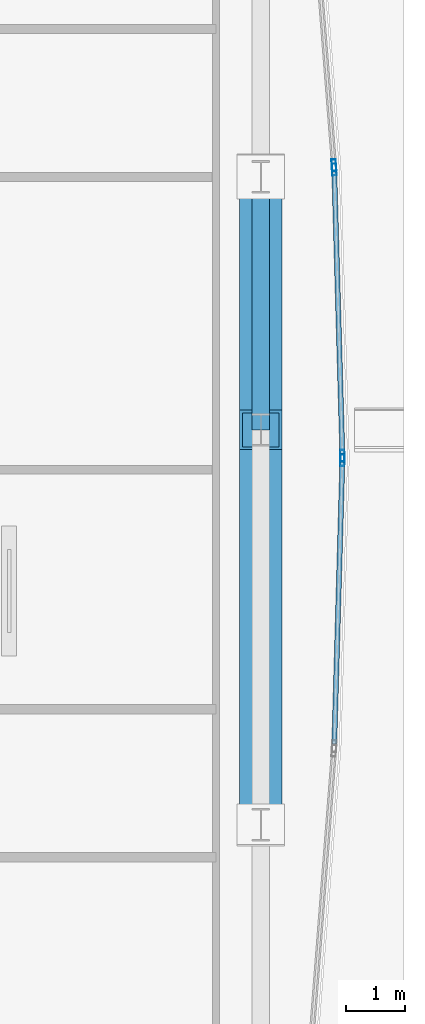
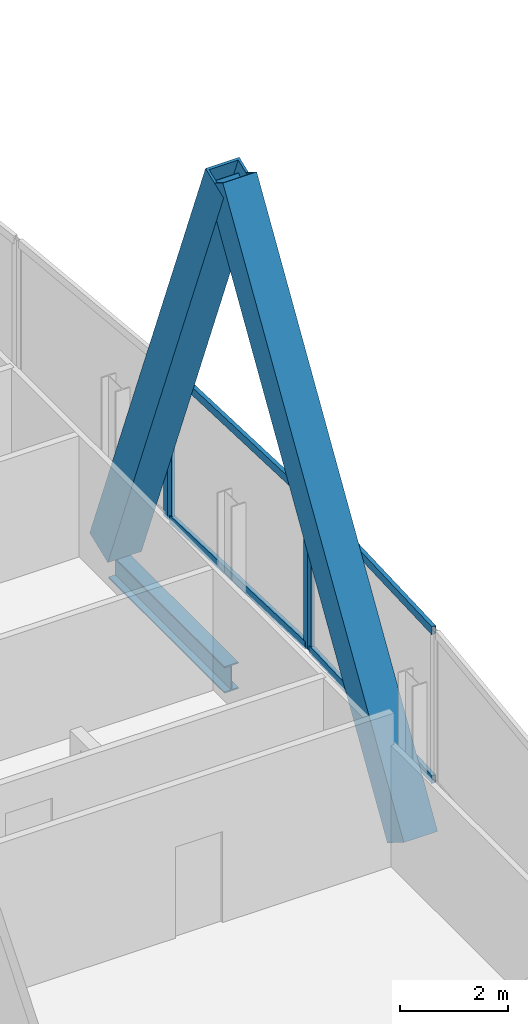
# One storey, part 21 of 30: 10 members, 1 beam, 3 elements without a shape of their own.
"""IFC4 building model written with IfcOpenShell, lengths in metres."""

from ifc_helpers import new_model, si_unit, direction, frame, origin, origin_2d, place, context, subcontext, project, spatial, hollow_rectangle, i_section, extrude, material, material_profile, profile_set, type_object, element, aggregate, save


model = new_model("IFC4")

# Units and contexts
model_context = context("Model", 3, precision=1e-05, world=origin(), true_north=direction((0.0, 1.0)))
body_context = subcontext(model_context, "Body", "Model", "MODEL_VIEW")
ifc_project = project(units=[si_unit("LENGTHUNIT", "METRE"), si_unit("AREAUNIT", "SQUARE_METRE"), si_unit("VOLUMEUNIT", "CUBIC_METRE"), si_unit("PLANEANGLEUNIT", "RADIAN"), si_unit("MASSUNIT", "GRAM", prefix="KILO")], contexts=[model_context])

# Site, building, storey
site_placement = place(None, origin())
site = spatial("IfcSite", under=ifc_project, at=site_placement, CompositionType="ELEMENT")
building_placement = place(site_placement, origin())
building = spatial("IfcBuilding", under=site, at=building_placement, Name="Khoronbel Lancet Exchange", CompositionType="ELEMENT")
storey_placement = place(building_placement, frame((0.0, 0.0, 136.199951171875)))
storey = spatial("IfcBuildingStorey", under=building, at=storey_placement, Name="L33", CompositionType="ELEMENT", Elevation=136.199951171875)

# Beam
ifc_material_1 = material(Name="Steel S355", Category="steel")
ifc_material_profile_1 = material_profile(ifc_material_1, i_section(OverallWidth=0.300048828125, OverallDepth=0.60009765625, WebThickness=0.015380859375, FlangeThickness=0.030029296875, at=origin_2d()), Name="HEB 600")
ifc_profile_set_1 = profile_set([ifc_material_profile_1], Name="Steel S355")
beam_type = type_object("IfcBeamType", Name="BM-BSP2", PredefinedType="SPANDREL", material=ifc_profile_set_1)
beam_placement = place(storey_placement, frame((67.6298828125, 31.425048828125, -0.4599609375), z_axis=(0.0, 1.0, 0.0), x_axis=(-1.0, 0.0, 0.0)))
element("IfcBeam", 1, at=beam_placement, inside=storey, type_object=beam_type, Name="Level L33 perimeter spandrel beam SP11", PredefinedType="SPANDREL", context=body_context, shape_type="SweptSolid", body=[
    extrude(i_section(OverallWidth=0.300048828125, OverallDepth=0.60009765625, WebThickness=0.015380859375, FlangeThickness=0.030029296875, at=origin_2d()), origin(), (0.0, 0.0, 1.0), 4.27490234375),
])

# Curtain wall, member
ifc_material_2 = material(Name="Low-E Solar Control Insulating Glass", Category="glass")
curtain_wall_type = type_object("IfcCurtainWallType", Name="CW-4", PredefinedType="NOTDEFINED", material=ifc_material_2)
curtain_wall_1_placement = place(storey_placement, origin())
curtain_wall_1 = element("IfcCurtainWall", 2, at=curtain_wall_1_placement, inside=storey, type_object=curtain_wall_type, Name="Unitised curtain wall CW-L33-E18", PredefinedType="NOTDEFINED")
ifc_material_3 = material(Name="Bronze-Anodised Aluminium 6063-T6", Category="aluminium")
ifc_material_profile_2 = material_profile(ifc_material_3, hollow_rectangle(XDim=0.074951171875, YDim=0.199951171875, WallThickness=0.0048828125, at=origin_2d()), Name="ALU MULLION 75x200")
ifc_profile_set_2 = profile_set([ifc_material_profile_2], Name="Bronze-Anodised Aluminium 6063-T6")
member_type_1 = type_object("IfcMemberType", Name="MEM-CWM2", PredefinedType="MULLION", material=ifc_profile_set_2)
member_1_placement = place(storey_placement, frame((68.866455078125, 35.899169921875, 0.0), z_axis=(0.0, 0.0, 1.0), x_axis=(0.996959555693, 0.077920756627, 0.0)))
member_1 = element("IfcMember", 3, at=member_1_placement, type_object=member_type_1, Name="CW4 mullion 2", PredefinedType="MULLION", context=body_context, shape_type="SweptSolid", body=[
    extrude(hollow_rectangle(XDim=0.074951171875, YDim=0.199951171875, WallThickness=0.0048828125, at=origin_2d()), origin(), (0.0, 0.0, 1.0), 3.43994140625),
])
aggregate(curtain_wall_1, [member_1])

# Curtain wall, members
curtain_wall_2_placement = place(storey_placement, origin())
curtain_wall_2 = element("IfcCurtainWall", 4, at=curtain_wall_2_placement, inside=storey, type_object=curtain_wall_type, Name="Unitised curtain wall CW-L33-E19", PredefinedType="NOTDEFINED")
member_2_placement = place(storey_placement, frame((68.870361328125, 35.824462890625, 0.0), z_axis=(0.0, 0.0, 1.0), x_axis=(0.999590574553, 0.028612641702, 0.0)))
member_2 = element("IfcMember", 5, at=member_2_placement, type_object=member_type_1, Name="CW4 mullion 1", PredefinedType="MULLION", context=body_context, shape_type="SweptSolid", body=[
    extrude(hollow_rectangle(XDim=0.074951171875, YDim=0.199951171875, WallThickness=0.0048828125, at=origin_2d()), origin(), (0.0, 0.0, 1.0), 3.43994140625),
])
member_3_placement = place(storey_placement, frame((69.009033203125, 30.987548828125, 0.0), z_axis=(0.0, 0.0, 1.0), x_axis=(0.999590574553, 0.028612641702, 0.0)))
member_3 = element("IfcMember", 6, at=member_3_placement, type_object=member_type_1, Name="CW4 mullion 2", PredefinedType="MULLION", context=body_context, shape_type="SweptSolid", body=[
    extrude(hollow_rectangle(XDim=0.074951171875, YDim=0.199951171875, WallThickness=0.0048828125, at=origin_2d()), origin(), (0.0, 0.0, 1.0), 3.43994140625),
])

# Curtain wall, member
curtain_wall_3_placement = place(storey_placement, origin())
curtain_wall_3 = element("IfcCurtainWall", 7, at=curtain_wall_3_placement, inside=storey, type_object=curtain_wall_type, Name="Unitised curtain wall CW-L33-E20", PredefinedType="NOTDEFINED")
member_4_placement = place(storey_placement, frame((69.009033203125, 30.91259765625, 0.0), z_axis=(0.0, 0.0, 1.0), x_axis=(0.999590574553, -0.028612641702, 0.0)))
member_4 = element("IfcMember", 8, at=member_4_placement, type_object=member_type_1, Name="CW4 mullion 1", PredefinedType="MULLION", context=body_context, shape_type="SweptSolid", body=[
    extrude(hollow_rectangle(XDim=0.074951171875, YDim=0.199951171875, WallThickness=0.0048828125, at=origin_2d()), origin(), (0.0, 0.0, 1.0), 3.43994140625),
])

# Member
ifc_material_profile_3 = material_profile(ifc_material_3, hollow_rectangle(XDim=0.0849609375, YDim=0.179931640625, WallThickness=0.0048828125, at=origin_2d()), Name="ALU TRANSOM 85x180")
ifc_profile_set_3 = profile_set([ifc_material_profile_3], Name="Bronze-Anodised Aluminium 6063-T6")
member_type_2 = type_object("IfcMemberType", Name="MEM-CWT1", PredefinedType="USERDEFINED", material=ifc_profile_set_3)
member_5_placement = place(storey_placement, frame((68.87158203125, 35.786865234375, 0.04248046875), z_axis=(0.028596349692, -0.999591040768, 0.0), x_axis=(0.999591040768, 0.028596349692, 0.0)))
member_5 = element("IfcMember", 9, at=member_5_placement, type_object=member_type_2, Name="CW4 transom 1.1", ObjectType="TRANSOM", PredefinedType="USERDEFINED", context=body_context, shape_type="SweptSolid", body=[
    extrude(hollow_rectangle(XDim=0.0849609375, YDim=0.179931640625, WallThickness=0.0048828125, at=origin_2d()), origin(), (0.0, 0.0, 1.0), 4.763916015625),
])

member_6_placement = place(storey_placement, frame((68.87158203125, 35.786865234375, 3.3974609375), z_axis=(0.028596349692, -0.999591040768, 0.0), x_axis=(0.999591040768, 0.028596349692, 0.0)))
member_6 = element("IfcMember", 10, at=member_6_placement, type_object=member_type_2, Name="CW4 transom 1.2", ObjectType="TRANSOM", PredefinedType="USERDEFINED", context=body_context, shape_type="SweptSolid", body=[
    extrude(hollow_rectangle(XDim=0.0849609375, YDim=0.179931640625, WallThickness=0.0048828125, at=origin_2d()), origin(), (0.0, 0.0, 1.0), 4.763916015625),
])

aggregate(curtain_wall_2, [member_2, member_3, member_5, member_6])

member_7_placement = place(storey_placement, frame((69.0078125, 30.875, 0.04248046875), z_axis=(-0.028596349692, -0.999591040768, 0.0), x_axis=(0.999591040768, -0.028596349692, 0.0)))
member_7 = element("IfcMember", 11, at=member_7_placement, type_object=member_type_2, Name="CW4 transom 1.1", ObjectType="TRANSOM", PredefinedType="USERDEFINED", context=body_context, shape_type="SweptSolid", body=[
    extrude(hollow_rectangle(XDim=0.0849609375, YDim=0.179931640625, WallThickness=0.0048828125, at=origin_2d()), origin(), (0.0, 0.0, 1.0), 4.763916015625),
])

member_8_placement = place(storey_placement, frame((69.0078125, 30.875, 3.3974609375), z_axis=(-0.028596349692, -0.999591040768, 0.0), x_axis=(0.999591040768, -0.028596349692, 0.0)))
member_8 = element("IfcMember", 12, at=member_8_placement, type_object=member_type_2, Name="CW4 transom 1.2", ObjectType="TRANSOM", PredefinedType="USERDEFINED", context=body_context, shape_type="SweptSolid", body=[
    extrude(hollow_rectangle(XDim=0.0849609375, YDim=0.179931640625, WallThickness=0.0048828125, at=origin_2d()), origin(), (0.0, 0.0, 1.0), 4.763916015625),
])

aggregate(curtain_wall_3, [member_4, member_7, member_8])

# Members
ifc_material_4 = material(Name="Steel S460", Category="steel")
ifc_material_profile_4 = material_profile(ifc_material_4, hollow_rectangle(XDim=0.719970703125, YDim=0.719970703125, WallThickness=0.050048828125, at=origin_2d()), Name="BOX 720x720x50")
ifc_profile_set_4 = profile_set([ifc_material_profile_4], Name="Steel S460")
member_type_3 = type_object("IfcMemberType", Name="MEM-MB2", PredefinedType="BRACE", material=ifc_profile_set_4)
member_9_placement = place(storey_placement, frame((67.6298828125, 24.75, 0.0), z_axis=(0.0, 0.525745449971, 0.850641946906), x_axis=(-1.0, 0.0, 0.0)))
element("IfcMember", 13, at=member_9_placement, inside=storey, type_object=member_type_3, Name="Perimeter lancet brace tier 11 E-P-L", PredefinedType="BRACE", context=body_context, shape_type="SweptSolid", body=[
    extrude(hollow_rectangle(XDim=0.719970703125, YDim=0.719970703125, WallThickness=0.050048828125, at=origin_2d()), origin(), (0.0, 0.0, 1.0), 12.6962890625),
])
member_10_placement = place(storey_placement, frame((67.6298828125, 35.699951171875, 0.0), z_axis=(0.0, -0.368039743753, 0.929810059646), x_axis=(1.0, 0.0, 0.0)))
element("IfcMember", 14, at=member_10_placement, inside=storey, type_object=member_type_3, Name="Perimeter lancet brace tier 11 E-P-R", PredefinedType="BRACE", context=body_context, shape_type="SweptSolid", body=[
    extrude(hollow_rectangle(XDim=0.719970703125, YDim=0.719970703125, WallThickness=0.050048828125, at=origin_2d()), origin(), (0.0, 0.0, 1.0), 11.615234375),
])

save(model, "model.ifc")
